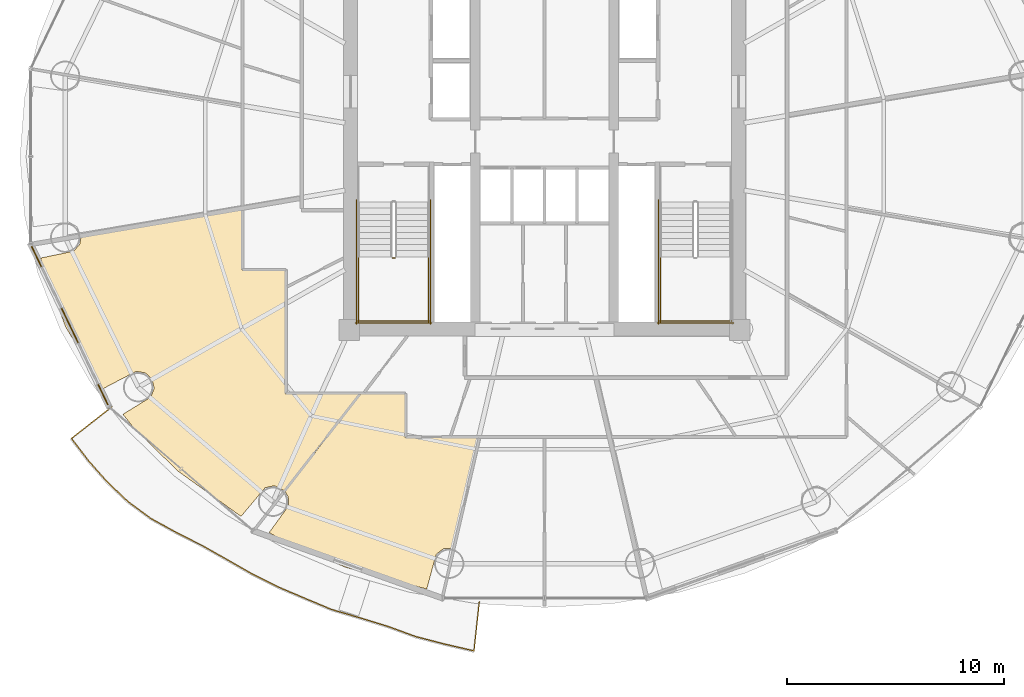
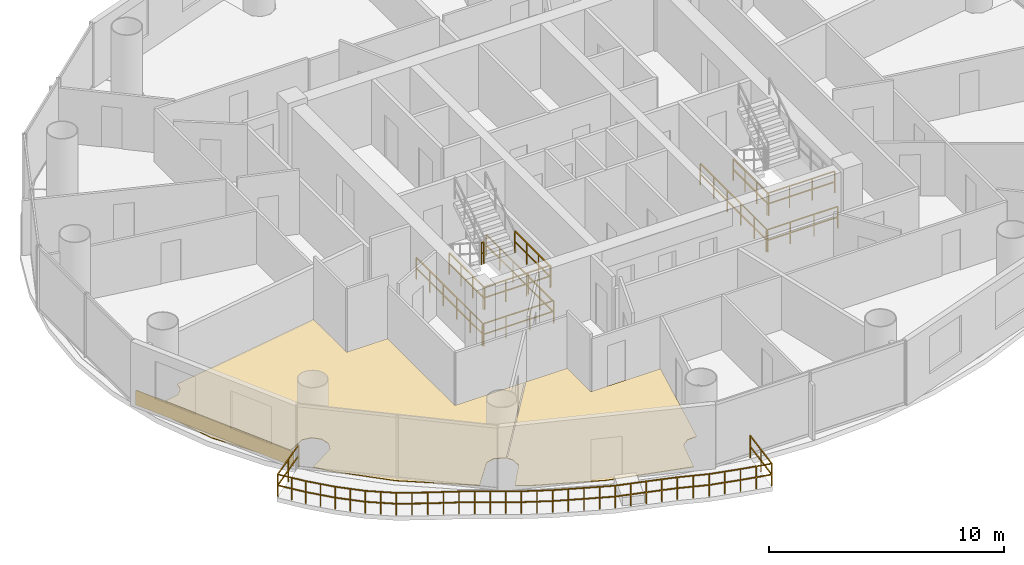
# One storey, part 24 of 26: 12 railings, 3 coverings.
"""IFC4 building model written with IfcOpenShell, lengths in metres."""

import ifcopenshell
import ifcopenshell.guid

model = None  # the IFC model being written
_history = None  # IfcOwnerHistory: only IFC2X3 demands one
_inside = {}  # id of a spatial element -> (the spatial element, [elements in it])
_under = {}  # id of a project, library or spatial element -> (it, [spatial elements below it])
_declared = {}  # id of a project -> (the project, [libraries it declares])
_typed = {}  # id of a type object -> (the type object, [elements of that type])
_made_of = {}  # id of a material, layer set ... -> (it, [elements and type objects made of it])


def new_model(schema):
    """Start an empty IFC model of exactly this schema.

    Asked for "IFC4X3", IfcOpenShell would pick the latest addendum, in which some entities
    have other attributes; the version numbers below select the first issue.
    IFC2X3 requires an IfcOwnerHistory on every rooted entity: one is made here for all.
    """
    global model, _history
    if schema == "IFC4X3":
        model = ifcopenshell.file(schema_version=(4, 3, 0, 0))
    else:
        model = ifcopenshell.file(schema=schema)
    _inside.clear()
    _under.clear()
    _declared.clear()
    _typed.clear()
    _made_of.clear()
    _history = None
    if model.schema == "IFC2X3":
        org = make("IfcOrganization", Name="unknown")
        user = make(
            "IfcPersonAndOrganization",
            ThePerson=make("IfcPerson", FamilyName="unknown"),
            TheOrganization=org,
        )
        app = make(
            "IfcApplication",
            ApplicationDeveloper=org,
            Version="unknown",
            ApplicationFullName="unknown",
            ApplicationIdentifier="unknown",
        )
        _history = make(
            "IfcOwnerHistory",
            OwningUser=user,
            OwningApplication=app,
            ChangeAction="ADDED",
            CreationDate=0,
        )
    return model


def make(cls, **values):
    """One entity of the class cls with the attributes given. An attribute that is None is left unset."""
    return model.create_entity(
        cls, **{name: value for name, value in values.items() if value is not None}
    )


def rooted(cls, **values):
    """An entity with a GlobalId (a new one), such as an element, a storey or a relation."""
    return make(cls, GlobalId=ifcopenshell.guid.new(), OwnerHistory=_history, **values)


def si_unit(unit_type, name, prefix=None):
    """IfcSIUnit, for example si_unit("LENGTHUNIT", "METRE", prefix="MILLI")."""
    return make("IfcSIUnit", UnitType=unit_type, Prefix=prefix, Name=name)


def assignment(units):
    """IfcUnitAssignment: the units of a project."""
    return None if units is None else make("IfcUnitAssignment", Units=units)


def point(xyz):
    """IfcCartesianPoint."""
    return None if xyz is None else make("IfcCartesianPoint", Coordinates=xyz)


def direction(xyz):
    """IfcDirection."""
    return None if xyz is None else make("IfcDirection", DirectionRatios=xyz)


def frame(location, z_axis=None, x_axis=None):
    """IfcAxis2Placement3D, a coordinate frame: its origin and axes. An axis left out is left unset."""
    return make(
        "IfcAxis2Placement3D",
        Location=point(location),
        Axis=direction(z_axis),
        RefDirection=direction(x_axis),
    )


def frame_2d(location, x_axis=None):
    """IfcAxis2Placement2D, a coordinate frame in the plane: its origin and x axis."""
    return make(
        "IfcAxis2Placement2D", Location=point(location), RefDirection=direction(x_axis)
    )


def origin():
    """The frame at (0, 0, 0) with its axes left unset."""
    return frame((0.0, 0.0, 0.0))


def origin_2d():
    """The frame at (0, 0) in the plane with its x axis left unset."""
    return frame_2d((0.0, 0.0))


def place(relative_to, where):
    """IfcLocalPlacement: puts the frame where relative to a parent placement (None: the world)."""
    return make(
        "IfcLocalPlacement", PlacementRelTo=relative_to, RelativePlacement=where
    )


def context(
    kind, dimensions, precision=None, world=None, true_north=None, identifier=None
):
    """IfcGeometricRepresentationContext, for example the 3D "Model" context."""
    return make(
        "IfcGeometricRepresentationContext",
        ContextIdentifier=identifier,
        ContextType=kind,
        CoordinateSpaceDimension=dimensions,
        Precision=precision,
        WorldCoordinateSystem=world,
        TrueNorth=true_north,
    )


def subcontext(parent, identifier, kind, view, scale=None):
    """IfcGeometricRepresentationSubContext, for example "Body" below "Model"."""
    return make(
        "IfcGeometricRepresentationSubContext",
        ContextIdentifier=identifier,
        ContextType=kind,
        ParentContext=parent,
        TargetScale=scale,
        TargetView=view,
    )


def project(units=None, contexts=None):
    """IfcProject with its units and contexts."""
    return rooted(
        "IfcProject",
        Name="project",
        RepresentationContexts=contexts,
        UnitsInContext=assignment(units),
    )


def spatial(cls, under=None, at=None, **own):
    """A site, building, storey or space (cls), placed at a placement, below another one or the project."""
    s = rooted(cls, ObjectPlacement=at, **own)
    if under is not None:
        _under.setdefault(under.id(), (under, []))[1].append(s)
    return s


def polyline(points):
    """IfcPolyline through the points."""
    return make("IfcPolyline", Points=[point(p) for p in points])


def profile(cls, at=None, kind="AREA", **sizes):
    """A parametric profile (cls). Its sizes go by their IFC names, for example OverallWidth=200.0."""
    return make(cls, ProfileType=kind, Position=at, **sizes)


def rectangle(**sizes):
    """IfcRectangleProfileDef."""
    return profile("IfcRectangleProfileDef", **sizes)


def outline(outer, holes=None, kind="AREA"):
    """IfcArbitraryClosedProfileDef: a profile drawn as a closed curve; with holes, ...WithVoids."""
    if holes is None:
        return make("IfcArbitraryClosedProfileDef", ProfileType=kind, OuterCurve=outer)
    return make(
        "IfcArbitraryProfileDefWithVoids",
        ProfileType=kind,
        OuterCurve=outer,
        InnerCurves=holes,
    )


def extrude(swept, where, along, depth):
    """IfcExtrudedAreaSolid: the profile swept, set in the frame where, extruded along a direction by depth."""
    return make(
        "IfcExtrudedAreaSolid",
        SweptArea=swept,
        Position=where,
        ExtrudedDirection=direction(along),
        Depth=depth,
    )


def shape(context_of_items, identifier, shape_type, items):
    """IfcShapeRepresentation: the items that make up one representation, for example the "Body"."""
    return make(
        "IfcShapeRepresentation",
        ContextOfItems=context_of_items,
        RepresentationIdentifier=identifier,
        RepresentationType=shape_type,
        Items=items,
    )


def source(mapping_origin, context_of_items, identifier, shape_type, items):
    """IfcRepresentationMap: a shape defined once, which mapped items show again and again."""
    return make(
        "IfcRepresentationMap",
        MappingOrigin=mapping_origin,
        MappedRepresentation=shape(context_of_items, identifier, shape_type, items),
    )


def transform(
    local_origin,
    x_axis=None,
    y_axis=None,
    z_axis=None,
    scale=None,
    scale2=None,
    scale3=None,
    uniform=True,
):
    """IfcCartesianTransformationOperator3D, or its non-uniform kind. x_axis, y_axis, z_axis: its Axis1, 2, 3."""
    if uniform:
        return make(
            "IfcCartesianTransformationOperator3D",
            Axis1=direction(x_axis),
            Axis2=direction(y_axis),
            LocalOrigin=point(local_origin),
            Scale=scale,
            Axis3=direction(z_axis),
        )
    return make(
        "IfcCartesianTransformationOperator3DnonUniform",
        Axis1=direction(x_axis),
        Axis2=direction(y_axis),
        LocalOrigin=point(local_origin),
        Scale=scale,
        Axis3=direction(z_axis),
        Scale2=scale2,
        Scale3=scale3,
    )


def mapped(mapping_source, mapping_target):
    """IfcMappedItem: shows the shape of a source again, moved by a transform."""
    return make(
        "IfcMappedItem", MappingSource=mapping_source, MappingTarget=mapping_target
    )


def material(Name=None, Category=None):
    """IfcMaterial."""
    return make("IfcMaterial", Name=Name, Category=Category)


def layer(
    of_material, thickness, ventilated=None, Name=None, Category=None, Priority=None
):
    """IfcMaterialLayer: one layer of a wall or slab, of a material (None: an air gap)."""
    return make(
        "IfcMaterialLayer",
        Material=of_material,
        LayerThickness=thickness,
        IsVentilated=ventilated,
        Name=Name,
        Category=Category,
        Priority=Priority,
    )


def layer_set(layers, Name=None):
    """IfcMaterialLayerSet."""
    return make("IfcMaterialLayerSet", MaterialLayers=layers, LayerSetName=Name)


def made_of(thing, what):
    """Note that an element or type object is made of a material, layer set ...; save() writes the relation."""
    if what is not None:
        _made_of.setdefault(what.id(), (what, []))[1].append(thing)
    return thing


def type_object(cls, material=None, **own):
    """A type object (cls), such as IfcWallType, which elements share."""
    return made_of(rooted(cls, **own), material)


def element(
    cls,
    number,
    at=None,
    inside=None,
    cuts=None,
    type_object=None,
    material=None,
    context=None,
    identifier="Body",
    shape_type=None,
    held_by="IfcProductDefinitionShape",
    body=None,
    shapes=None,
    **own,
):
    """One element of the class cls, such as IfcWall. Its Tag is "e" and its number.

    at: its placement. inside: the storey or other place that contains it. cuts: it is an
    opening in that element (IfcRelVoidsElement). A single representation is given by context,
    identifier, shape_type and body (its items); several are given by shapes. held_by: the class
    of the entity that holds the representations. save() writes the other relations.
    """
    e = rooted(cls, Tag="e%d" % number, ObjectPlacement=at, **own)
    if body is not None:
        shapes = [shape(context, identifier, shape_type, body)]
    if shapes is not None:
        e.Representation = make(held_by, Representations=shapes)
    if inside is not None:
        _inside.setdefault(inside.id(), (inside, []))[1].append(e)
    if cuts is not None:
        rooted(
            "IfcRelVoidsElement", RelatingBuildingElement=cuts, RelatedOpeningElement=e
        )
    if type_object is not None:
        _typed.setdefault(type_object.id(), (type_object, []))[1].append(e)
    return made_of(e, material)


def aggregate(whole, parts):
    """IfcRelAggregates: a whole, such as a stair, and the parts it consists of."""
    return rooted("IfcRelAggregates", RelatingObject=whole, RelatedObjects=parts)


def save(model, path):
    """Write the relations noted so far, then the file.

    IfcRelAggregates (storeys below a building ...), IfcRelContainedInSpatialStructure (elements
    in a storey), IfcRelDefinesByType, IfcRelAssociatesMaterial and IfcRelDeclares: one each for
    every whole, place, type object, material and project.
    """
    for whole, parts in _under.values():
        aggregate(whole, parts)
    for where, things in _inside.values():
        rooted(
            "IfcRelContainedInSpatialStructure",
            RelatedElements=things,
            RelatingStructure=where,
        )
    for kind, things in _typed.values():
        rooted("IfcRelDefinesByType", RelatedObjects=things, RelatingType=kind)
    for what, things in _made_of.values():
        rooted("IfcRelAssociatesMaterial", RelatedObjects=things, RelatingMaterial=what)
    for by, libraries in _declared.values():
        rooted("IfcRelDeclares", RelatingContext=by, RelatedDefinitions=libraries)
    model.write(path)


model = new_model("IFC4")

# Units and contexts
model_context = context("Model", 3, precision=1e-05, world=origin(), true_north=direction((-0.2419218956, 0.970295726276)))
body_context = subcontext(model_context, "Body", "Model", "MODEL_VIEW")
ifc_project = project(units=[si_unit("LENGTHUNIT", "METRE"), si_unit("AREAUNIT", "SQUARE_METRE"), si_unit("VOLUMEUNIT", "CUBIC_METRE"), si_unit("PLANEANGLEUNIT", "RADIAN"), si_unit("MASSUNIT", "GRAM", prefix="KILO")], contexts=[model_context])

# Site, building, storey
site_placement = place(None, origin())
site = spatial("IfcSite", under=ifc_project, at=site_placement, CompositionType="ELEMENT")
building_placement = place(site_placement, origin())
building = spatial("IfcBuilding", under=site, at=building_placement, Name="Cobrevalo Terracotta Tower", CompositionType="ELEMENT")
storey_placement = place(building_placement, frame((0.0, 0.0, 139.0)))
storey = spatial("IfcBuildingStorey", under=building, at=storey_placement, Name="L36", CompositionType="ELEMENT", Elevation=139.0)

# Railing
ifc_material_1 = material(Name="Laminated structural glass and stainless steel", Category="steel")
railing_type_1 = type_object("IfcRailingType", Name="Balcony lobe structural glass & terracotta-cap balustrade 1180 mm", PredefinedType="BALUSTRADE", material=ifc_material_1)
railing_1_placement = place(storey_placement, frame((18.041748046875, 15.259765625, 0.0)))
element("IfcRailing", 1, at=railing_1_placement, inside=storey, type_object=railing_type_1, Name="L36 spiralling balcony lobe balustrade 2", PredefinedType="BALUSTRADE", context=body_context, shape_type="SweptSolid", body=[
    extrude(rectangle(XDim=0.048095703125, YDim=0.048095703125, at=origin_2d()), frame((0.0, 0.0, 1.15576171875), z_axis=(-0.787670035742, -0.616097325748, 0.0), x_axis=(0.616097325748, -0.787670035742, 0.0)), (0.0, 0.0, 1.0), 2.3720703125),
    extrude(rectangle(XDim=0.048095703125, YDim=0.048095703125, at=origin_2d()), frame((0.0, 0.0, 0.58984375), z_axis=(-0.787670035742, -0.616097325748, 0.0), x_axis=(0.616097325748, -0.787670035742, 0.0)), (0.0, 0.0, 1.0), 2.3720703125),
    extrude(rectangle(XDim=0.048095703125, YDim=0.048095703125, at=origin_2d()), frame((-1.868408203125, -1.46142578125, 1.15576171875), z_axis=(0.606764221766, -0.794881864924, 0.0), x_axis=(0.794881864924, 0.606764221766, 0.0)), (0.0, 0.0, 1.0), 1.295166015625),
    extrude(rectangle(XDim=0.048095703125, YDim=0.048095703125, at=origin_2d()), frame((-1.868408203125, -1.46142578125, 0.58984375), z_axis=(0.606764221766, -0.794881864924, 0.0), x_axis=(0.794881864924, 0.606764221766, 0.0)), (0.0, 0.0, 1.0), 1.295166015625),
    extrude(rectangle(XDim=0.048095703125, YDim=0.048095703125, at=origin_2d()), frame((-1.08251953125, -2.490966796875, 1.15576171875), z_axis=(0.66293100315, -0.748680495981, 0.0), x_axis=(0.748680495981, 0.66293100315, 0.0)), (0.0, 0.0, 1.0), 1.3125),
    extrude(rectangle(XDim=0.048095703125, YDim=0.048095703125, at=origin_2d()), frame((-1.08251953125, -2.490966796875, 0.58984375), z_axis=(0.66293100315, -0.748680495981, 0.0), x_axis=(0.748680495981, 0.66293100315, 0.0)), (0.0, 0.0, 1.0), 1.3125),
    extrude(rectangle(XDim=0.048095703125, YDim=0.048095703125, at=origin_2d()), frame((-0.21240234375, -3.4736328125, 1.15576171875), z_axis=(0.725670123344, -0.688042783615, 0.0), x_axis=(0.688042783615, 0.725670123344, 0.0)), (0.0, 0.0, 1.0), 1.317138671875),
    extrude(rectangle(XDim=0.048095703125, YDim=0.048095703125, at=origin_2d()), frame((-0.21240234375, -3.4736328125, 0.58984375), z_axis=(0.725670123344, -0.688042783615, 0.0), x_axis=(0.688042783615, 0.725670123344, 0.0)), (0.0, 0.0, 1.0), 1.317138671875),
    extrude(rectangle(XDim=0.048095703125, YDim=0.048095703125, at=origin_2d()), frame((0.743408203125, -4.3798828125, 1.15576171875), z_axis=(0.805417682762, -0.59270764825, 0.0), x_axis=(0.59270764825, 0.805417682762, 0.0)), (0.0, 0.0, 1.0), 1.322265625),
    extrude(rectangle(XDim=0.048095703125, YDim=0.048095703125, at=origin_2d()), frame((0.743408203125, -4.3798828125, 0.58984375), z_axis=(0.805417682762, -0.59270764825, 0.0), x_axis=(0.59270764825, 0.805417682762, 0.0)), (0.0, 0.0, 1.0), 1.322265625),
    extrude(rectangle(XDim=0.048095703125, YDim=0.048095703125, at=origin_2d()), frame((1.808349609375, -5.16357421875, 1.15576171875), z_axis=(0.876515339685, -0.481373928768, 0.0), x_axis=(0.481373928768, 0.876515339685, 0.0)), (0.0, 0.0, 1.0), 1.342041015625),
    extrude(rectangle(XDim=0.048095703125, YDim=0.048095703125, at=origin_2d()), frame((1.808349609375, -5.16357421875, 0.58984375), z_axis=(0.876515339685, -0.481373928768, 0.0), x_axis=(0.481373928768, 0.876515339685, 0.0)), (0.0, 0.0, 1.0), 1.342041015625),
    extrude(rectangle(XDim=0.048095703125, YDim=0.048095703125, at=origin_2d()), frame((2.984619140625, -5.8095703125, 1.15576171875), z_axis=(0.892428613117, -0.451188619637, 0.0), x_axis=(0.451188619637, 0.892428613117, 0.0)), (0.0, 0.0, 1.0), 1.3251953125),
    extrude(rectangle(XDim=0.048095703125, YDim=0.048095703125, at=origin_2d()), frame((2.984619140625, -5.8095703125, 0.58984375), z_axis=(0.892428613117, -0.451188619637, 0.0), x_axis=(0.451188619637, 0.892428613117, 0.0)), (0.0, 0.0, 1.0), 1.3251953125),
    extrude(rectangle(XDim=0.048095703125, YDim=0.048095703125, at=origin_2d()), frame((4.167236328125, -6.407470703125, 1.15576171875), z_axis=(0.871097742385, -0.491109685521, 0.0), x_axis=(0.491109685521, 0.871097742385, 0.0)), (0.0, 0.0, 1.0), 1.32470703125),
    extrude(rectangle(XDim=0.048095703125, YDim=0.048095703125, at=origin_2d()), frame((4.167236328125, -6.407470703125, 0.58984375), z_axis=(0.871097742385, -0.491109685521, 0.0), x_axis=(0.491109685521, 0.871097742385, 0.0)), (0.0, 0.0, 1.0), 1.32470703125),
    extrude(rectangle(XDim=0.048095703125, YDim=0.048095703125, at=origin_2d()), frame((5.3212890625, -7.05810546875, 1.15576171875), z_axis=(0.867697985254, -0.497091748459, 0.0), x_axis=(0.497091748459, 0.867697985254, 0.0)), (0.0, 0.0, 1.0), 1.32421875),
    extrude(rectangle(XDim=0.048095703125, YDim=0.048095703125, at=origin_2d()), frame((5.3212890625, -7.05810546875, 0.58984375), z_axis=(0.867697985254, -0.497091748459, 0.0), x_axis=(0.497091748459, 0.867697985254, 0.0)), (0.0, 0.0, 1.0), 1.32421875),
    extrude(rectangle(XDim=0.048095703125, YDim=0.048095703125, at=origin_2d()), frame((6.47021484375, -7.71630859375, 1.15576171875), z_axis=(0.894463899002, -0.447140171962, 0.0), x_axis=(0.447140171962, 0.894463899002, 0.0)), (0.0, 0.0, 1.0), 1.330078125),
    extrude(rectangle(XDim=0.048095703125, YDim=0.048095703125, at=origin_2d()), frame((6.47021484375, -7.71630859375, 0.58984375), z_axis=(0.894463899002, -0.447140171962, 0.0), x_axis=(0.447140171962, 0.894463899002, 0.0)), (0.0, 0.0, 1.0), 1.330078125),
    extrude(rectangle(XDim=0.048095703125, YDim=0.048095703125, at=origin_2d()), frame((7.659912109375, -8.31103515625, 1.15576171875), z_axis=(0.920504435866, -0.390732112259, 0.0), x_axis=(0.390732112259, 0.920504435866, 0.0)), (0.0, 0.0, 1.0), 1.341552734375),
    extrude(rectangle(XDim=0.048095703125, YDim=0.048095703125, at=origin_2d()), frame((7.659912109375, -8.31103515625, 0.58984375), z_axis=(0.920504435866, -0.390732112259, 0.0), x_axis=(0.390732112259, 0.920504435866, 0.0)), (0.0, 0.0, 1.0), 1.341552734375),
    extrude(rectangle(XDim=0.048095703125, YDim=0.048095703125, at=origin_2d()), frame((8.894775390625, -8.835205078125, 1.15576171875), z_axis=(0.922428916886, -0.386166924131, 0.0), x_axis=(0.386166924131, 0.922428916886, 0.0)), (0.0, 0.0, 1.0), 1.34033203125),
    extrude(rectangle(XDim=0.048095703125, YDim=0.048095703125, at=origin_2d()), frame((8.894775390625, -8.835205078125, 0.58984375), z_axis=(0.922428916886, -0.386166924131, 0.0), x_axis=(0.386166924131, 0.922428916886, 0.0)), (0.0, 0.0, 1.0), 1.34033203125),
    extrude(rectangle(XDim=0.048095703125, YDim=0.048095703125, at=origin_2d()), frame((10.131103515625, -9.352783203125, 1.15576171875), z_axis=(0.959437183234, -0.281922491881, 0.0), x_axis=(0.281922491881, 0.959437183234, 0.0)), (0.0, 0.0, 1.0), 1.355224609375),
    extrude(rectangle(XDim=0.048095703125, YDim=0.048095703125, at=origin_2d()), frame((10.131103515625, -9.352783203125, 0.58984375), z_axis=(0.959437183234, -0.281922491881, 0.0), x_axis=(0.281922491881, 0.959437183234, 0.0)), (0.0, 0.0, 1.0), 1.355224609375),
    extrude(rectangle(XDim=0.048095703125, YDim=0.048095703125, at=origin_2d()), frame((11.431396484375, -9.73486328125, 1.15576171875), z_axis=(0.955926882835, -0.293604827402, 0.0), x_axis=(0.293604827402, 0.955926882835, 0.0)), (0.0, 0.0, 1.0), 1.35546875),
    extrude(rectangle(XDim=0.048095703125, YDim=0.048095703125, at=origin_2d()), frame((11.431396484375, -9.73486328125, 0.58984375), z_axis=(0.955926882835, -0.293604827402, 0.0), x_axis=(0.293604827402, 0.955926882835, 0.0)), (0.0, 0.0, 1.0), 1.35546875),
    extrude(rectangle(XDim=0.048095703125, YDim=0.048095703125, at=origin_2d()), frame((12.72705078125, -10.1328125, 1.15576171875), z_axis=(0.93928915505, -0.343126628529, 0.0), x_axis=(0.343126628529, 0.93928915505, 0.0)), (0.0, 0.0, 1.0), 1.3740234375),
    extrude(rectangle(XDim=0.048095703125, YDim=0.048095703125, at=origin_2d()), frame((12.72705078125, -10.1328125, 0.58984375), z_axis=(0.93928915505, -0.343126628529, 0.0), x_axis=(0.343126628529, 0.93928915505, 0.0)), (0.0, 0.0, 1.0), 1.3740234375),
    extrude(rectangle(XDim=0.048095703125, YDim=0.048095703125, at=origin_2d()), frame((14.017578125, -10.604248046875, 1.15576171875), z_axis=(0.968122510005, -0.250477155887, 0.0), x_axis=(0.250477155887, 0.968122510005, 0.0)), (0.0, 0.0, 1.0), 1.380126953125),
    extrude(rectangle(XDim=0.048095703125, YDim=0.048095703125, at=origin_2d()), frame((14.017578125, -10.604248046875, 0.58984375), z_axis=(0.968122510005, -0.250477155887, 0.0), x_axis=(0.250477155887, 0.968122510005, 0.0)), (0.0, 0.0, 1.0), 1.380126953125),
    extrude(rectangle(XDim=0.048095703125, YDim=0.048095703125, at=origin_2d()), frame((15.353759765625, -10.949951171875, 1.15576171875), z_axis=(0.974153265191, -0.225888060589, 0.0), x_axis=(0.225888060589, 0.974153265191, 0.0)), (0.0, 0.0, 1.0), 1.38671875),
    extrude(rectangle(XDim=0.048095703125, YDim=0.048095703125, at=origin_2d()), frame((15.353759765625, -10.949951171875, 0.58984375), z_axis=(0.974153265191, -0.225888060589, 0.0), x_axis=(0.225888060589, 0.974153265191, 0.0)), (0.0, 0.0, 1.0), 1.38671875),
    extrude(rectangle(XDim=0.048095703125, YDim=0.048095703125, at=origin_2d()), frame((16.70458984375, -11.26318359375, 1.15576171875), z_axis=(0.10759360634, 0.994194958685, 0.0), x_axis=(-0.994194958685, 0.10759360634, 0.0)), (0.0, 0.0, 1.0), 2.27587890625),
    extrude(rectangle(XDim=0.048095703125, YDim=0.048095703125, at=origin_2d()), frame((16.70458984375, -11.26318359375, 0.58984375), z_axis=(0.10759360634, 0.994194958685, 0.0), x_axis=(-0.994194958685, 0.10759360634, 0.0)), (0.0, 0.0, 1.0), 2.27587890625),
    extrude(rectangle(XDim=0.0419921875, YDim=0.0419921875, at=origin_2d()), origin(), (0.0, 0.0, 1.0), 1.1318359375),
    extrude(rectangle(XDim=0.0419921875, YDim=0.0419921875, at=origin_2d()), frame((-0.93408203125, -0.730712890625, 0.0)), (0.0, 0.0, 1.0), 1.1318359375),
    extrude(rectangle(XDim=0.0419921875, YDim=0.0419921875, at=origin_2d()), frame((-1.868408203125, -1.46142578125, 0.0)), (0.0, 0.0, 1.0), 1.1318359375),
    extrude(rectangle(XDim=0.0419921875, YDim=0.0419921875, at=origin_2d()), frame((-1.4755859375, -1.97607421875, 0.0)), (0.0, 0.0, 1.0), 1.1318359375),
    extrude(rectangle(XDim=0.0419921875, YDim=0.0419921875, at=origin_2d()), frame((-1.08251953125, -2.490966796875, 0.0)), (0.0, 0.0, 1.0), 1.1318359375),
    extrude(rectangle(XDim=0.0419921875, YDim=0.0419921875, at=origin_2d()), frame((-0.6474609375, -2.982421875, 0.0)), (0.0, 0.0, 1.0), 1.1318359375),
    extrude(rectangle(XDim=0.0419921875, YDim=0.0419921875, at=origin_2d()), frame((-0.21240234375, -3.4736328125, 0.0)), (0.0, 0.0, 1.0), 1.1318359375),
    extrude(rectangle(XDim=0.0419921875, YDim=0.0419921875, at=origin_2d()), frame((0.265625, -3.9267578125, 0.0)), (0.0, 0.0, 1.0), 1.1318359375),
    extrude(rectangle(XDim=0.0419921875, YDim=0.0419921875, at=origin_2d()), frame((0.743408203125, -4.3798828125, 0.0)), (0.0, 0.0, 1.0), 1.1318359375),
    extrude(rectangle(XDim=0.0419921875, YDim=0.0419921875, at=origin_2d()), frame((1.27587890625, -4.771728515625, 0.0)), (0.0, 0.0, 1.0), 1.1318359375),
    extrude(rectangle(XDim=0.0419921875, YDim=0.0419921875, at=origin_2d()), frame((1.808349609375, -5.16357421875, 0.0)), (0.0, 0.0, 1.0), 1.1318359375),
    extrude(rectangle(XDim=0.0419921875, YDim=0.0419921875, at=origin_2d()), frame((2.396484375, -5.486572265625, 0.0)), (0.0, 0.0, 1.0), 1.1318359375),
    extrude(rectangle(XDim=0.0419921875, YDim=0.0419921875, at=origin_2d()), frame((2.984619140625, -5.8095703125, 0.0)), (0.0, 0.0, 1.0), 1.1318359375),
    extrude(rectangle(XDim=0.0419921875, YDim=0.0419921875, at=origin_2d()), frame((3.575927734375, -6.1083984375, 0.0)), (0.0, 0.0, 1.0), 1.1318359375),
    extrude(rectangle(XDim=0.0419921875, YDim=0.0419921875, at=origin_2d()), frame((4.167236328125, -6.407470703125, 0.0)), (0.0, 0.0, 1.0), 1.1318359375),
    extrude(rectangle(XDim=0.0419921875, YDim=0.0419921875, at=origin_2d()), frame((4.744140625, -6.73291015625, 0.0)), (0.0, 0.0, 1.0), 1.1318359375),
    extrude(rectangle(XDim=0.0419921875, YDim=0.0419921875, at=origin_2d()), frame((5.3212890625, -7.05810546875, 0.0)), (0.0, 0.0, 1.0), 1.1318359375),
    extrude(rectangle(XDim=0.0419921875, YDim=0.0419921875, at=origin_2d()), frame((5.895751953125, -7.38720703125, 0.0)), (0.0, 0.0, 1.0), 1.1318359375),
    extrude(rectangle(XDim=0.0419921875, YDim=0.0419921875, at=origin_2d()), frame((6.47021484375, -7.71630859375, 0.0)), (0.0, 0.0, 1.0), 1.1318359375),
    extrude(rectangle(XDim=0.0419921875, YDim=0.0419921875, at=origin_2d()), frame((7.06494140625, -8.013671875, 0.0)), (0.0, 0.0, 1.0), 1.1318359375),
    extrude(rectangle(XDim=0.0419921875, YDim=0.0419921875, at=origin_2d()), frame((7.659912109375, -8.31103515625, 0.0)), (0.0, 0.0, 1.0), 1.1318359375),
    extrude(rectangle(XDim=0.0419921875, YDim=0.0419921875, at=origin_2d()), frame((8.27734375, -8.5732421875, 0.0)), (0.0, 0.0, 1.0), 1.1318359375),
    extrude(rectangle(XDim=0.0419921875, YDim=0.0419921875, at=origin_2d()), frame((8.894775390625, -8.835205078125, 0.0)), (0.0, 0.0, 1.0), 1.1318359375),
    extrude(rectangle(XDim=0.0419921875, YDim=0.0419921875, at=origin_2d()), frame((9.512939453125, -9.093994140625, 0.0)), (0.0, 0.0, 1.0), 1.1318359375),
    extrude(rectangle(XDim=0.0419921875, YDim=0.0419921875, at=origin_2d()), frame((10.131103515625, -9.352783203125, 0.0)), (0.0, 0.0, 1.0), 1.1318359375),
    extrude(rectangle(XDim=0.0419921875, YDim=0.0419921875, at=origin_2d()), frame((10.78125, -9.5439453125, 0.0)), (0.0, 0.0, 1.0), 1.1318359375),
    extrude(rectangle(XDim=0.0419921875, YDim=0.0419921875, at=origin_2d()), frame((11.431396484375, -9.73486328125, 0.0)), (0.0, 0.0, 1.0), 1.1318359375),
    extrude(rectangle(XDim=0.0419921875, YDim=0.0419921875, at=origin_2d()), frame((12.0791015625, -9.933837890625, 0.0)), (0.0, 0.0, 1.0), 1.1318359375),
    extrude(rectangle(XDim=0.0419921875, YDim=0.0419921875, at=origin_2d()), frame((12.72705078125, -10.1328125, 0.0)), (0.0, 0.0, 1.0), 1.1318359375),
    extrude(rectangle(XDim=0.0419921875, YDim=0.0419921875, at=origin_2d()), frame((13.372314453125, -10.36865234375, 0.0)), (0.0, 0.0, 1.0), 1.1318359375),
    extrude(rectangle(XDim=0.0419921875, YDim=0.0419921875, at=origin_2d()), frame((14.017578125, -10.604248046875, 0.0)), (0.0, 0.0, 1.0), 1.1318359375),
    extrude(rectangle(XDim=0.0419921875, YDim=0.0419921875, at=origin_2d()), frame((14.685546875, -10.777099609375, 0.0)), (0.0, 0.0, 1.0), 1.1318359375),
    extrude(rectangle(XDim=0.0419921875, YDim=0.0419921875, at=origin_2d()), frame((15.353759765625, -10.949951171875, 0.0)), (0.0, 0.0, 1.0), 1.1318359375),
    extrude(rectangle(XDim=0.0419921875, YDim=0.0419921875, at=origin_2d()), frame((16.029296875, -11.1064453125, 0.0)), (0.0, 0.0, 1.0), 1.1318359375),
    extrude(rectangle(XDim=0.0419921875, YDim=0.0419921875, at=origin_2d()), frame((16.70458984375, -11.26318359375, 0.0)), (0.0, 0.0, 1.0), 1.1318359375),
    extrude(rectangle(XDim=0.0419921875, YDim=0.0419921875, at=origin_2d()), frame((16.8271484375, -10.1318359375, 0.0)), (0.0, 0.0, 1.0), 1.1318359375),
    extrude(rectangle(XDim=0.0419921875, YDim=0.0419921875, at=origin_2d()), frame((16.949462890625, -9.00048828125, 0.0)), (0.0, 0.0, 1.0), 1.1318359375),
])

# Coverings
ifc_material_2 = material(Name="Engineered Brazilian hardwood flooring", Category="wood")
ifc_layer_1 = layer(ifc_material_2, 0.028076171875)
ifc_layer_set_1 = layer_set([ifc_layer_1], Name="Engineered Brazilian hardwood flooring")
covering_type_1 = type_object("IfcCoveringType", Name="Engineered Hardwood Suite Flooring 28", PredefinedType="FLOORING", material=ifc_layer_set_1)
covering_1_placement = place(storey_placement, origin())
element("IfcCovering", 2, at=covering_1_placement, inside=storey, type_object=covering_type_1, Name="Flat L36C Penthouse Living and Dining Room floor finish", PredefinedType="FLOORING", context=body_context, shape_type="SweptSolid", body=[
    extrude(outline(polyline([(21.0849609375, 12.291259765625), (19.02197265625, 14.309326171875), (18.551513671875, 14.91357421875), (19.834228515625, 15.705810546875), (19.988525390625, 16.10693359375), (19.89404296875, 16.526123046875), (19.582763671875, 16.822021484375), (19.1591796875, 16.895263671875), (17.632568359375, 16.09375), (15.900390625, 18.948486328125), (14.748291015625, 22.121826171875), (16.2763671875, 22.43701171875), (16.55859375, 22.760986328125), (16.617431640625, 23.1240234375), (24.044921875, 24.393798828125), (24.044921875, 21.570068359375), (26.054931640625, 21.570068359375), (26.054931640625, 15.85498046875), (29.466064453125, 15.85498046875), (25.997802734375, 11.3935546875), (25.529296875, 11.615234375), (25.109619140625, 11.522705078125), (23.99755859375, 10.2001953125), (21.0849609375, 12.291259765625)])), origin(), (0.0, 0.0, 1.0), 0.030029296875),
])
covering_2_placement = place(storey_placement, origin())
element("IfcCovering", 3, at=covering_2_placement, inside=storey, type_object=covering_type_1, Name="Flat L36C Master Bedroom floor finish", PredefinedType="FLOORING", context=body_context, shape_type="SweptSolid", body=[
    extrude(outline(polyline([(28.84521484375, 7.84228515625), (26.038818359375, 9.02978515625), (25.295166015625, 9.4560546875), (26.184326171875, 10.67724609375), (26.175537109375, 11.106689453125), (26.02490234375, 11.363525390625), (29.5166015625, 15.85498046875), (31.570068359375, 15.85498046875), (31.570068359375, 13.844970703125), (34.9814453125, 13.844970703125), (33.796630859375, 8.72607421875), (33.3408203125, 8.7109375), (32.99951171875, 8.44970703125), (32.567138671875, 6.849853515625), (28.84521484375, 7.84228515625)])), origin(), (0.0, 0.0, 1.0), 0.030029296875),
])

# Railings
ifc_material_3 = material(Name="Painted galvanized steel", Category="steel")
railing_type_2 = type_object("IfcRailingType", Name="Stair Well Guard Balustrade 1150", PredefinedType="GUARDRAIL", material=ifc_material_3)
railing_2_placement = place(storey_placement, frame((30.97509765625, 22.1298828125, 1.800048828125)))
element("IfcRailing", 4, at=railing_2_placement, inside=storey, type_object=railing_type_2, Name="L36 ST-1 stair guard 2", PredefinedType="GUARDRAIL", context=body_context, shape_type="SweptSolid", body=[
    extrude(rectangle(XDim=0.048095703125, YDim=0.048095703125, at=origin_2d()), frame((0.0, 0.0, 1.1259765625), z_axis=(1.0, 0.0, 0.0), x_axis=(0.0, 1.0, 0.0)), (0.0, 0.0, 1.0), 0.119873046875),
    extrude(rectangle(XDim=0.048095703125, YDim=0.048095703125, at=origin_2d()), frame((0.0, 0.0, 0.574951171875), z_axis=(1.0, 0.0, 0.0), x_axis=(0.0, 1.0, 0.0)), (0.0, 0.0, 1.0), 0.119873046875),
    extrude(rectangle(XDim=0.0419921875, YDim=0.0419921875, at=origin_2d()), origin(), (0.0, 0.0, 1.0), 1.101806640625),
    extrude(rectangle(XDim=0.0419921875, YDim=0.0419921875, at=origin_2d()), frame((0.119873046875, 0.0, 0.0)), (0.0, 0.0, 1.0), 1.101806640625),
])
for number, where, name in (
    (5, (29.425048828125, 22.179931640625, 1.800048828125), "L36 ST-1 stair guard 3"),
    (6, (32.64501953125, 22.179931640625, 1.800048828125), "L36 ST-1 stair guard 4"),
):
    element("IfcRailing", number, at=place(storey_placement, frame(where)), inside=storey, type_object=railing_type_2, Name=name, PredefinedType="GUARDRAIL", context=body_context, shape_type="SweptSolid", body=[
        extrude(rectangle(XDim=0.048095703125, YDim=0.048095703125, at=origin_2d()), frame((0.0, 0.0, 1.1259765625), z_axis=(0.0, -1.0, 0.0), x_axis=(1.0, 0.0, 0.0)), (0.0, 0.0, 1.0), 3.0048828125),
        extrude(rectangle(XDim=0.048095703125, YDim=0.048095703125, at=origin_2d()), frame((0.0, 0.0, 0.574951171875), z_axis=(0.0, -1.0, 0.0), x_axis=(1.0, 0.0, 0.0)), (0.0, 0.0, 1.0), 3.0048828125),
        extrude(rectangle(XDim=0.0419921875, YDim=0.0419921875, at=origin_2d()), origin(), (0.0, 0.0, 1.0), 1.101806640625),
        extrude(rectangle(XDim=0.0419921875, YDim=0.0419921875, at=origin_2d()), frame((0.0, -1.001708984375, 0.0)), (0.0, 0.0, 1.0), 1.101806640625),
        extrude(rectangle(XDim=0.0419921875, YDim=0.0419921875, at=origin_2d()), frame((0.0, -2.003173828125, 0.0)), (0.0, 0.0, 1.0), 1.101806640625),
        extrude(rectangle(XDim=0.0419921875, YDim=0.0419921875, at=origin_2d()), frame((0.0, -3.0048828125, 0.0)), (0.0, 0.0, 1.0), 1.101806640625),
    ])
railing_3_placement = place(storey_placement, frame((29.375, 19.22509765625, 1.800048828125)))
element("IfcRailing", 7, at=railing_3_placement, inside=storey, type_object=railing_type_2, Name="L36 ST-1 stair guard 5", PredefinedType="GUARDRAIL", context=body_context, shape_type="SweptSolid", body=[
    extrude(rectangle(XDim=0.048095703125, YDim=0.048095703125, at=origin_2d()), frame((0.0, 0.0, 1.1259765625), z_axis=(1.0, 0.0, 0.0), x_axis=(0.0, 1.0, 0.0)), (0.0, 0.0, 1.0), 3.320068359375),
    extrude(rectangle(XDim=0.048095703125, YDim=0.048095703125, at=origin_2d()), frame((0.0, 0.0, 0.574951171875), z_axis=(1.0, 0.0, 0.0), x_axis=(0.0, 1.0, 0.0)), (0.0, 0.0, 1.0), 3.320068359375),
    extrude(rectangle(XDim=0.0419921875, YDim=0.0419921875, at=origin_2d()), origin(), (0.0, 0.0, 1.0), 1.101806640625),
    extrude(rectangle(XDim=0.0419921875, YDim=0.0419921875, at=origin_2d()), frame((1.106689453125, 0.0, 0.0)), (0.0, 0.0, 1.0), 1.101806640625),
    extrude(rectangle(XDim=0.0419921875, YDim=0.0419921875, at=origin_2d()), frame((2.21337890625, 0.0, 0.0)), (0.0, 0.0, 1.0), 1.101806640625),
    extrude(rectangle(XDim=0.0419921875, YDim=0.0419921875, at=origin_2d()), frame((3.320068359375, 0.0, 0.0)), (0.0, 0.0, 1.0), 1.101806640625),
])
for number, where, name in (
    (8, (29.324951171875, 24.800048828125, 0.0), "L36 ST-1 stair guard 10"),
    (9, (32.7451171875, 24.800048828125, 0.0), "L36 ST-1 stair guard 11"),
):
    element("IfcRailing", number, at=place(storey_placement, frame(where)), inside=storey, type_object=railing_type_2, Name=name, PredefinedType="GUARDRAIL", context=body_context, shape_type="SweptSolid", body=[
        extrude(rectangle(XDim=0.048095703125, YDim=0.048095703125, at=origin_2d()), frame((0.0, 0.0, 1.1259765625), z_axis=(0.0, -1.0, 0.0), x_axis=(1.0, 0.0, 0.0)), (0.0, 0.0, 1.0), 5.72509765625),
        extrude(rectangle(XDim=0.048095703125, YDim=0.048095703125, at=origin_2d()), frame((0.0, 0.0, 0.574951171875), z_axis=(0.0, -1.0, 0.0), x_axis=(1.0, 0.0, 0.0)), (0.0, 0.0, 1.0), 5.72509765625),
        extrude(rectangle(XDim=0.0419921875, YDim=0.0419921875, at=origin_2d()), origin(), (0.0, 0.0, 1.0), 1.101806640625),
        extrude(rectangle(XDim=0.0419921875, YDim=0.0419921875, at=origin_2d()), frame((0.0, -1.14501953125, 0.0)), (0.0, 0.0, 1.0), 1.101806640625),
        extrude(rectangle(XDim=0.0419921875, YDim=0.0419921875, at=origin_2d()), frame((0.0, -2.2900390625, 0.0)), (0.0, 0.0, 1.0), 1.101806640625),
        extrude(rectangle(XDim=0.0419921875, YDim=0.0419921875, at=origin_2d()), frame((0.0, -3.43505859375, 0.0)), (0.0, 0.0, 1.0), 1.101806640625),
        extrude(rectangle(XDim=0.0419921875, YDim=0.0419921875, at=origin_2d()), frame((0.0, -4.580078125, 0.0)), (0.0, 0.0, 1.0), 1.101806640625),
        extrude(rectangle(XDim=0.0419921875, YDim=0.0419921875, at=origin_2d()), frame((0.0, -5.72509765625, 0.0)), (0.0, 0.0, 1.0), 1.101806640625),
    ])
railing_4_placement = place(storey_placement, frame((29.27490234375, 19.125, 0.0)))
element("IfcRailing", 10, at=railing_4_placement, inside=storey, type_object=railing_type_2, Name="L36 ST-1 stair guard 12", PredefinedType="GUARDRAIL", context=body_context, shape_type="SweptSolid", body=[
    extrude(rectangle(XDim=0.048095703125, YDim=0.048095703125, at=origin_2d()), frame((0.0, 0.0, 1.1259765625), z_axis=(1.0, 0.0, 0.0), x_axis=(0.0, 1.0, 0.0)), (0.0, 0.0, 1.0), 3.52001953125),
    extrude(rectangle(XDim=0.048095703125, YDim=0.048095703125, at=origin_2d()), frame((0.0, 0.0, 0.574951171875), z_axis=(1.0, 0.0, 0.0), x_axis=(0.0, 1.0, 0.0)), (0.0, 0.0, 1.0), 3.52001953125),
    extrude(rectangle(XDim=0.0419921875, YDim=0.0419921875, at=origin_2d()), origin(), (0.0, 0.0, 1.0), 1.101806640625),
    extrude(rectangle(XDim=0.0419921875, YDim=0.0419921875, at=origin_2d()), frame((1.17333984375, 0.0, 0.0)), (0.0, 0.0, 1.0), 1.101806640625),
    extrude(rectangle(XDim=0.0419921875, YDim=0.0419921875, at=origin_2d()), frame((2.3466796875, 0.0, 0.0)), (0.0, 0.0, 1.0), 1.101806640625),
    extrude(rectangle(XDim=0.0419921875, YDim=0.0419921875, at=origin_2d()), frame((3.52001953125, 0.0, 0.0)), (0.0, 0.0, 1.0), 1.101806640625),
])
railing_5_placement = place(storey_placement, frame((43.35498046875, 22.179931640625, 1.800048828125)))
element("IfcRailing", 11, at=railing_5_placement, inside=storey, type_object=railing_type_2, Name="L36 ST-2 stair guard 3", PredefinedType="GUARDRAIL", context=body_context, shape_type="SweptSolid", body=[
    extrude(rectangle(XDim=0.048095703125, YDim=0.048095703125, at=origin_2d()), frame((0.0, 0.0, 1.1259765625), z_axis=(0.0, -1.0, 0.0), x_axis=(1.0, 0.0, 0.0)), (0.0, 0.0, 1.0), 3.0048828125),
    extrude(rectangle(XDim=0.048095703125, YDim=0.048095703125, at=origin_2d()), frame((0.0, 0.0, 0.574951171875), z_axis=(0.0, -1.0, 0.0), x_axis=(1.0, 0.0, 0.0)), (0.0, 0.0, 1.0), 3.0048828125),
    extrude(rectangle(XDim=0.0419921875, YDim=0.0419921875, at=origin_2d()), origin(), (0.0, 0.0, 1.0), 1.101806640625),
    extrude(rectangle(XDim=0.0419921875, YDim=0.0419921875, at=origin_2d()), frame((0.0, -1.001708984375, 0.0)), (0.0, 0.0, 1.0), 1.101806640625),
    extrude(rectangle(XDim=0.0419921875, YDim=0.0419921875, at=origin_2d()), frame((0.0, -2.003173828125, 0.0)), (0.0, 0.0, 1.0), 1.101806640625),
    extrude(rectangle(XDim=0.0419921875, YDim=0.0419921875, at=origin_2d()), frame((0.0, -3.0048828125, 0.0)), (0.0, 0.0, 1.0), 1.101806640625),
])
railing_6_placement = place(storey_placement, frame((43.304931640625, 19.22509765625, 1.800048828125)))
element("IfcRailing", 12, at=railing_6_placement, inside=storey, type_object=railing_type_2, Name="L36 ST-2 stair guard 5", PredefinedType="GUARDRAIL", context=body_context, shape_type="SweptSolid", body=[
    extrude(rectangle(XDim=0.048095703125, YDim=0.048095703125, at=origin_2d()), frame((0.0, 0.0, 1.1259765625), z_axis=(1.0, 0.0, 0.0), x_axis=(0.0, 1.0, 0.0)), (0.0, 0.0, 1.0), 3.320068359375),
    extrude(rectangle(XDim=0.048095703125, YDim=0.048095703125, at=origin_2d()), frame((0.0, 0.0, 0.574951171875), z_axis=(1.0, 0.0, 0.0), x_axis=(0.0, 1.0, 0.0)), (0.0, 0.0, 1.0), 3.320068359375),
    extrude(rectangle(XDim=0.0419921875, YDim=0.0419921875, at=origin_2d()), origin(), (0.0, 0.0, 1.0), 1.101806640625),
    extrude(rectangle(XDim=0.0419921875, YDim=0.0419921875, at=origin_2d()), frame((1.106689453125, 0.0, 0.0)), (0.0, 0.0, 1.0), 1.101806640625),
    extrude(rectangle(XDim=0.0419921875, YDim=0.0419921875, at=origin_2d()), frame((2.21337890625, 0.0, 0.0)), (0.0, 0.0, 1.0), 1.101806640625),
    extrude(rectangle(XDim=0.0419921875, YDim=0.0419921875, at=origin_2d()), frame((3.320068359375, 0.0, 0.0)), (0.0, 0.0, 1.0), 1.101806640625),
])
railing_7_placement = place(storey_placement, frame((43.2548828125, 24.800048828125, 0.0)))
element("IfcRailing", 13, at=railing_7_placement, inside=storey, type_object=railing_type_2, Name="L36 ST-2 stair guard 10", PredefinedType="GUARDRAIL", context=body_context, shape_type="SweptSolid", body=[
    extrude(rectangle(XDim=0.048095703125, YDim=0.048095703125, at=origin_2d()), frame((0.0, 0.0, 1.1259765625), z_axis=(0.0, -1.0, 0.0), x_axis=(1.0, 0.0, 0.0)), (0.0, 0.0, 1.0), 5.72509765625),
    extrude(rectangle(XDim=0.048095703125, YDim=0.048095703125, at=origin_2d()), frame((0.0, 0.0, 0.574951171875), z_axis=(0.0, -1.0, 0.0), x_axis=(1.0, 0.0, 0.0)), (0.0, 0.0, 1.0), 5.72509765625),
    extrude(rectangle(XDim=0.0419921875, YDim=0.0419921875, at=origin_2d()), origin(), (0.0, 0.0, 1.0), 1.101806640625),
    extrude(rectangle(XDim=0.0419921875, YDim=0.0419921875, at=origin_2d()), frame((0.0, -1.14501953125, 0.0)), (0.0, 0.0, 1.0), 1.101806640625),
    extrude(rectangle(XDim=0.0419921875, YDim=0.0419921875, at=origin_2d()), frame((0.0, -2.2900390625, 0.0)), (0.0, 0.0, 1.0), 1.101806640625),
    extrude(rectangle(XDim=0.0419921875, YDim=0.0419921875, at=origin_2d()), frame((0.0, -3.43505859375, 0.0)), (0.0, 0.0, 1.0), 1.101806640625),
    extrude(rectangle(XDim=0.0419921875, YDim=0.0419921875, at=origin_2d()), frame((0.0, -4.580078125, 0.0)), (0.0, 0.0, 1.0), 1.101806640625),
    extrude(rectangle(XDim=0.0419921875, YDim=0.0419921875, at=origin_2d()), frame((0.0, -5.72509765625, 0.0)), (0.0, 0.0, 1.0), 1.101806640625),
])
railing_8_placement = place(storey_placement, frame((43.205078125, 19.125, 0.0)))
element("IfcRailing", 14, at=railing_8_placement, inside=storey, type_object=railing_type_2, Name="L36 ST-2 stair guard 12", PredefinedType="GUARDRAIL", context=body_context, shape_type="SweptSolid", body=[
    extrude(rectangle(XDim=0.048095703125, YDim=0.048095703125, at=origin_2d()), frame((0.0, 0.0, 1.1259765625), z_axis=(1.0, 0.0, 0.0), x_axis=(0.0, 1.0, 0.0)), (0.0, 0.0, 1.0), 3.52001953125),
    extrude(rectangle(XDim=0.048095703125, YDim=0.048095703125, at=origin_2d()), frame((0.0, 0.0, 0.574951171875), z_axis=(1.0, 0.0, 0.0), x_axis=(0.0, 1.0, 0.0)), (0.0, 0.0, 1.0), 3.52001953125),
    extrude(rectangle(XDim=0.0419921875, YDim=0.0419921875, at=origin_2d()), origin(), (0.0, 0.0, 1.0), 1.101806640625),
    extrude(rectangle(XDim=0.0419921875, YDim=0.0419921875, at=origin_2d()), frame((1.17333984375, 0.0, 0.0)), (0.0, 0.0, 1.0), 1.101806640625),
    extrude(rectangle(XDim=0.0419921875, YDim=0.0419921875, at=origin_2d()), frame((2.3466796875, 0.0, 0.0)), (0.0, 0.0, 1.0), 1.101806640625),
    extrude(rectangle(XDim=0.0419921875, YDim=0.0419921875, at=origin_2d()), frame((3.52001953125, 0.0, 0.0)), (0.0, 0.0, 1.0), 1.101806640625),
])

# Covering
ifc_material_4 = material(Name="Glazed terracotta facade cladding tile", Category="masonry")
ifc_layer_2 = layer(ifc_material_4, 0.044921875)
ifc_layer_set_2 = layer_set([ifc_layer_2], Name="Glazed terracotta facade cladding tile")
covering_type_2 = type_object("IfcCoveringType", Name="Architectural terracotta rainscreen spandrel cladding 45 mm", PredefinedType="CLADDING", material=ifc_layer_set_2)
shared_shape = source(origin(), body_context, "Body", "SweptSolid", [
    extrude(rectangle(XDim=8.111572265625, YDim=0.044921875, at=origin_2d()), origin(), (0.0, 0.0, 1.0), 0.760009765625),
])
covering_3_placement = place(storey_placement, frame((16.098876953125, 19.00439453125, 0.0400390625), z_axis=(0.0, 0.0, 1.0), x_axis=(0.434209440271, -0.900811945957, 0.0)))
element("IfcCovering", 15, at=covering_3_placement, inside=storey, type_object=covering_type_2, Name="L36 terracotta spandrel cladding S09", PredefinedType="CLADDING", context=body_context, shape_type="MappedRepresentation", body=[
    mapped(shared_shape, transform((0.0, 0.0, 0.0), scale=1.0)),
])

save(model, "model.ifc")
